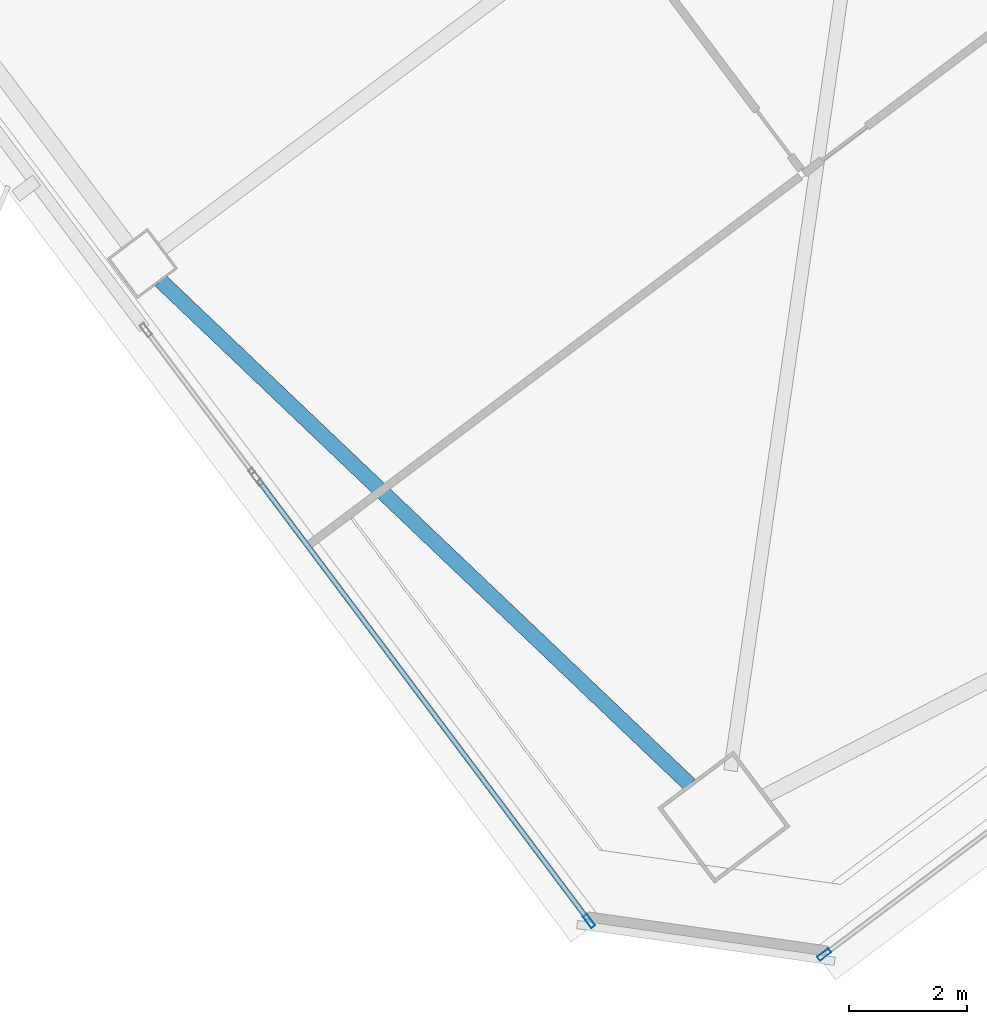
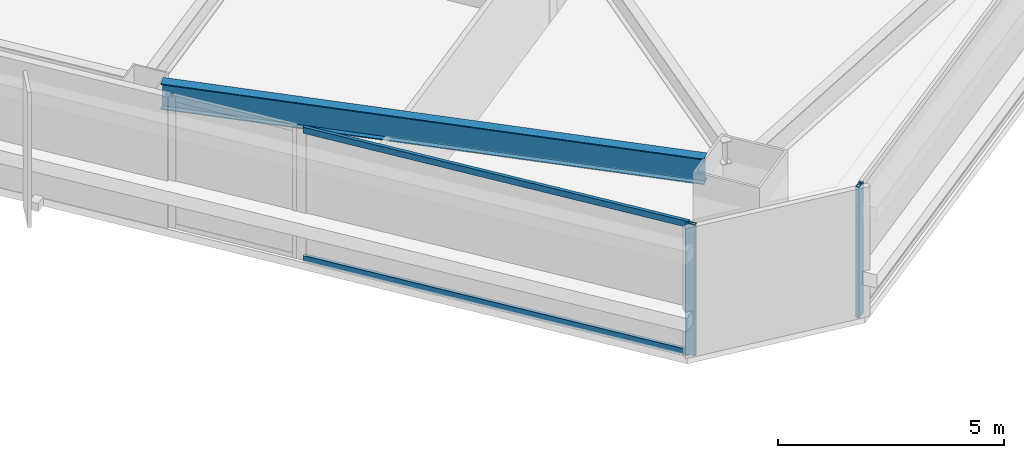
# One storey, part 25 of 62: 4 members, 1 beam, 2 elements without a shape of their own.
"""IFC4 building model written with IfcOpenShell, lengths in metres."""

from ifc_helpers import new_model, si_unit, direction, frame, origin, origin_2d, place, context, subcontext, project, spatial, hollow_rectangle, i_section, extrude, material, material_profile, profile_set, type_object, element, aggregate, save


model = new_model("IFC4")

# Units and contexts
model_context = context("Model", 3, precision=1e-05, world=origin(), true_north=direction((0.0, 1.0)))
body_context = subcontext(model_context, "Body", "Model", "MODEL_VIEW")
ifc_project = project(units=[si_unit("LENGTHUNIT", "METRE"), si_unit("AREAUNIT", "SQUARE_METRE"), si_unit("VOLUMEUNIT", "CUBIC_METRE"), si_unit("PLANEANGLEUNIT", "RADIAN"), si_unit("MASSUNIT", "GRAM", prefix="KILO")], contexts=[model_context])

# Site, building, storey
site_placement = place(None, origin())
site = spatial("IfcSite", under=ifc_project, at=site_placement, CompositionType="ELEMENT")
building_placement = place(site_placement, origin())
building = spatial("IfcBuilding", under=site, at=building_placement, Name="Tashvorn Skyway Center", CompositionType="ELEMENT")
storey_placement = place(building_placement, frame((0.0, 0.0, 28.14990234375)))
storey = spatial("IfcBuildingStorey", under=building, at=storey_placement, Name="L06", CompositionType="ELEMENT", Elevation=28.14990234375)

# Beam
ifc_material_1 = material(Name="Steel ASTM A992 Grade 50", Category="steel")
ifc_material_profile_1 = material_profile(ifc_material_1, i_section(OverallWidth=0.256103515625, OverallDepth=0.693115234375, WebThickness=0.014404296875, FlangeThickness=0.023681640625, at=origin_2d()), Name="W27X114")
ifc_profile_set_1 = profile_set([ifc_material_profile_1], Name="Steel ASTM A992 Grade 50")
beam_type = type_object("IfcBeamType", Name="BM-SPANDREL-W27X114", PredefinedType="SPANDREL", material=ifc_profile_set_1)
beam_placement = place(storey_placement, frame((100.7041015625, 14.76025390625, 3.003662109375), z_axis=(0.724200339835, -0.689589637236, 0.0), x_axis=(0.689589637236, 0.724200339835, 0.0)))
element("IfcBeam", 1, at=beam_placement, inside=storey, type_object=beam_type, Name="Tower 2 L06 Spandrel Beam 12", PredefinedType="SPANDREL", context=body_context, shape_type="SweptSolid", body=[
    extrude(i_section(OverallWidth=0.256103515625, OverallDepth=0.693115234375, WebThickness=0.014404296875, FlangeThickness=0.023681640625, at=origin_2d()), origin(), (0.0, 0.0, 1.0), 12.37255859375),
])

# Curtain wall, member
ifc_material_2 = material(Name="Thermally broken bronze-anodized aluminium 6063-T6", Category="aluminium")
curtain_wall_type = type_object("IfcCurtainWallType", Name="CW-CW-Z1", PredefinedType="NOTDEFINED", material=ifc_material_2)
curtain_wall_1_placement = place(storey_placement, origin())
curtain_wall_1 = element("IfcCurtainWall", 2, at=curtain_wall_1_placement, inside=storey, type_object=curtain_wall_type, Name="Tower 2 L06 South Unitised Curtain Wall Glazing Group 4", PredefinedType="NOTDEFINED")
ifc_material_profile_2 = material_profile(ifc_material_2, hollow_rectangle(XDim=0.0849609375, YDim=0.239990234375, WallThickness=0.0048828125, at=origin_2d()), Name="ALU-MULL-85x240")
ifc_profile_set_2 = profile_set([ifc_material_profile_2], Name="Thermally broken bronze-anodized aluminium 6063-T6")
member_type_1 = type_object("IfcMemberType", Name="CWM-CW-Z1", PredefinedType="MULLION", material=ifc_profile_set_2)
member_1_placement = place(storey_placement, frame((111.93798828125, 3.353515625, 0.0), z_axis=(0.0, 0.0, 1.0), x_axis=(0.600000000002, -0.799999999998, 0.0)))
member_1 = element("IfcMember", 3, at=member_1_placement, type_object=member_type_1, Name="CW-Z1 mullion 2", PredefinedType="MULLION", context=body_context, shape_type="SweptSolid", body=[
    extrude(hollow_rectangle(XDim=0.0849609375, YDim=0.239990234375, WallThickness=0.0048828125, at=origin_2d()), origin(), (0.0, 0.0, 1.0), 3.550048828125),
])
aggregate(curtain_wall_1, [member_1])

# Curtain wall, members
curtain_wall_2_placement = place(storey_placement, origin())
curtain_wall_2 = element("IfcCurtainWall", 4, at=curtain_wall_2_placement, inside=storey, type_object=curtain_wall_type, Name="Tower 2 L06 West Unitised Curtain Wall Glazing Group 1", PredefinedType="NOTDEFINED")
member_2_placement = place(storey_placement, frame((107.95849609375, 3.922119140625, 0.0), z_axis=(0.0, 0.0, 1.0), x_axis=(-0.799999999998, -0.600000000002, 0.0)))
member_2 = element("IfcMember", 5, at=member_2_placement, type_object=member_type_1, Name="CW-Z1 mullion 1", PredefinedType="MULLION", context=body_context, shape_type="SweptSolid", body=[
    extrude(hollow_rectangle(XDim=0.0849609375, YDim=0.239990234375, WallThickness=0.0048828125, at=origin_2d()), origin(), (0.0, 0.0, 1.0), 3.550048828125),
])
ifc_material_profile_3 = material_profile(ifc_material_2, hollow_rectangle(XDim=0.0849609375, YDim=0.1650390625, WallThickness=0.0048828125, at=origin_2d()), Name="ALU-TRAN-85x165")
ifc_profile_set_3 = profile_set([ifc_material_profile_3], Name="Thermally broken bronze-anodized aluminium 6063-T6")
member_type_2 = type_object("IfcMemberType", Name="CWT-CW-Z1", PredefinedType="USERDEFINED", material=ifc_profile_set_3)
member_3_placement = place(storey_placement, frame((107.93310546875, 3.9560546875, 0.04248046875), z_axis=(-0.6, 0.8, 0.0), x_axis=(-0.8, -0.6, 0.0)))
member_3 = element("IfcMember", 6, at=member_3_placement, type_object=member_type_2, Name="CW-Z1 transom 1.1", ObjectType="TRANSOM", PredefinedType="USERDEFINED", context=body_context, shape_type="SweptSolid", body=[
    extrude(hollow_rectangle(XDim=0.0849609375, YDim=0.1650390625, WallThickness=0.0048828125, at=origin_2d()), origin(), (0.0, 0.0, 1.0), 9.27001953125),
])
member_4_placement = place(storey_placement, frame((107.93310546875, 3.9560546875, 3.507568359375), z_axis=(-0.6, 0.8, 0.0), x_axis=(-0.8, -0.6, 0.0)))
member_4 = element("IfcMember", 7, at=member_4_placement, type_object=member_type_2, Name="CW-Z1 transom 1.2", ObjectType="TRANSOM", PredefinedType="USERDEFINED", context=body_context, shape_type="SweptSolid", body=[
    extrude(hollow_rectangle(XDim=0.0849609375, YDim=0.1650390625, WallThickness=0.0048828125, at=origin_2d()), origin(), (0.0, 0.0, 1.0), 9.27001953125),
])
aggregate(curtain_wall_2, [member_2, member_3, member_4])

save(model, "model.ifc")
